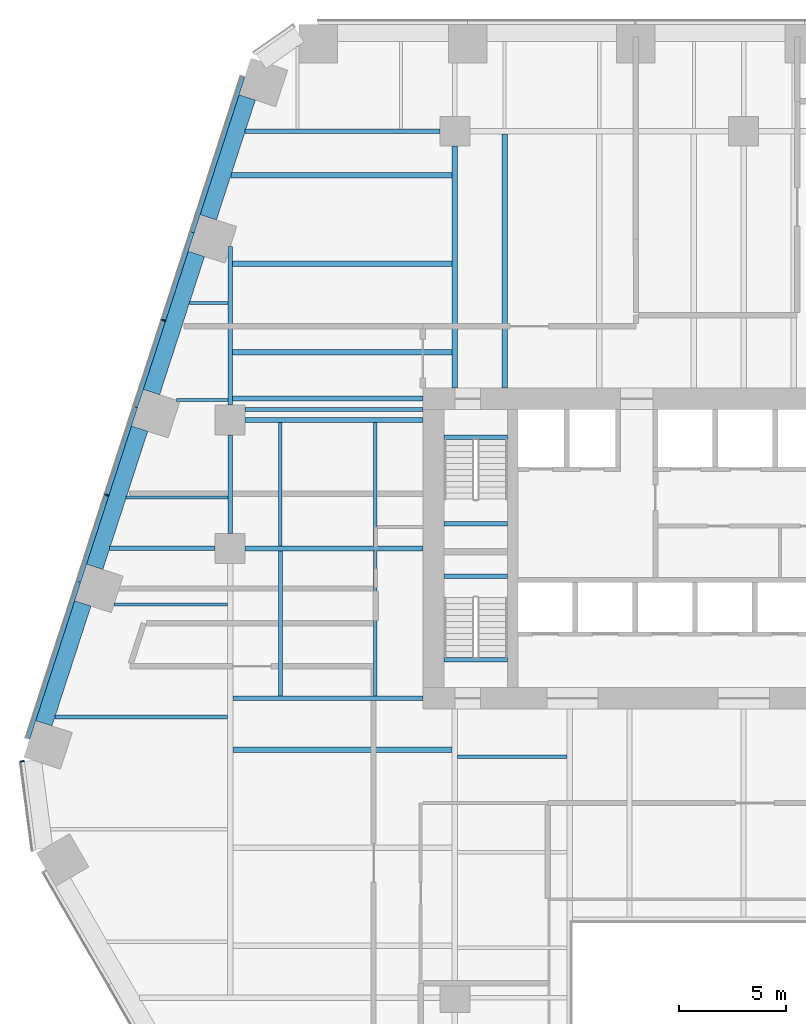
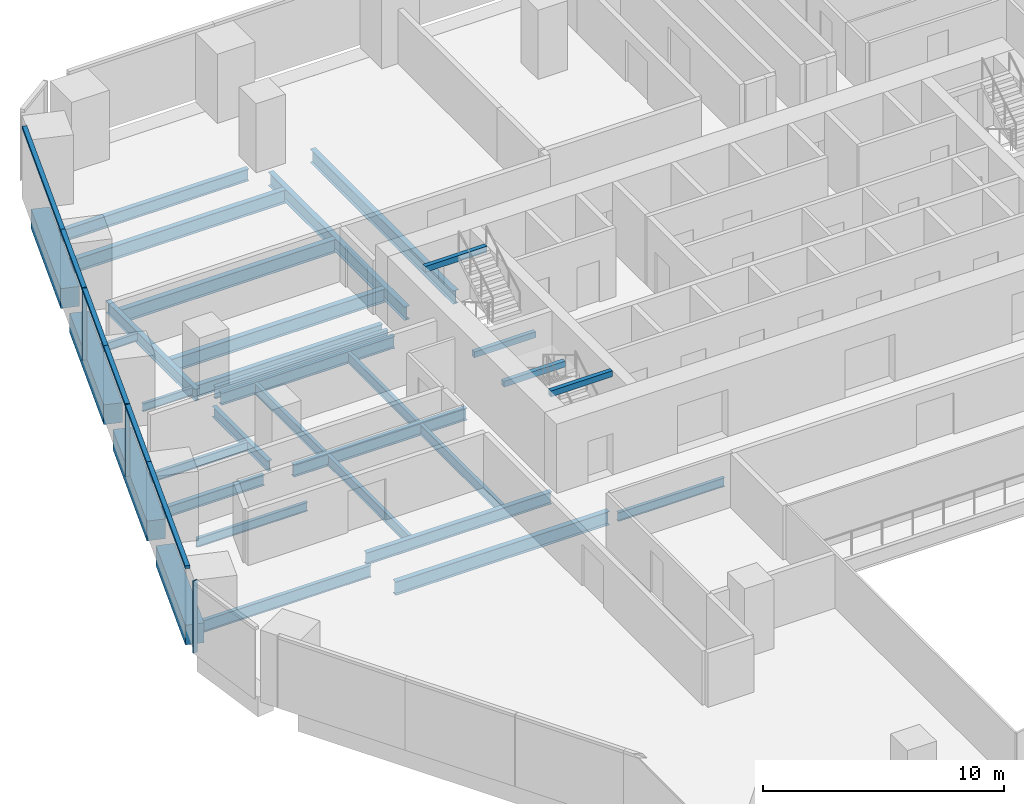
# One storey, part 8 of 21: 33 beams, 9 members, 2 elements without a shape of their own.
"""IFC4 building model written with IfcOpenShell, lengths in metres."""

from ifc_helpers import new_model, si_unit, direction, frame, origin, origin_2d, place, context, subcontext, project, spatial, rectangle, i_section, extrude, material, layer, layer_set, material_profile, profile_set, type_object, element, aggregate, save


model = new_model("IFC4")

# Units and contexts
model_context = context("Model", 3, precision=1e-05, world=origin(), true_north=direction((0.0, 1.0)))
body_context = subcontext(model_context, "Body", "Model", "MODEL_VIEW")
ifc_project = project(units=[si_unit("LENGTHUNIT", "METRE"), si_unit("AREAUNIT", "SQUARE_METRE"), si_unit("VOLUMEUNIT", "CUBIC_METRE"), si_unit("PLANEANGLEUNIT", "RADIAN"), si_unit("MASSUNIT", "GRAM", prefix="KILO")], contexts=[model_context])

# Site, building, storey
site_placement = place(None, origin())
site = spatial("IfcSite", under=ifc_project, at=site_placement, CompositionType="ELEMENT")
building_placement = place(site_placement, origin())
building = spatial("IfcBuilding", under=site, at=building_placement, Name="Isthmus Gate Tower", CompositionType="ELEMENT")
storey_placement = place(building_placement, frame((0.0, 0.0, 46.949951171875)))
storey = spatial("IfcBuildingStorey", under=building, at=storey_placement, Name="L09", CompositionType="ELEMENT", Elevation=46.949951171875)

# Curtain wall, members
ifc_material_1 = material(Name="Aluminium, pale champagne anodised", Category="aluminium")
ifc_layer = layer(ifc_material_1, 0.199951171875)
ifc_layer_set = layer_set([ifc_layer], Name="CW-1 UNITISED CURTAIN WALL 200 DEEP")
curtain_wall_type = type_object("IfcCurtainWallType", Name="CW-1 UNITISED CURTAIN WALL 200 DEEP", PredefinedType="NOTDEFINED", material=ifc_layer_set)
curtain_wall_1_placement = place(storey_placement, origin())
curtain_wall_1 = element("IfcCurtainWall", 1, at=curtain_wall_1_placement, inside=storey, type_object=curtain_wall_type, Name="CW-1 NW L09", PredefinedType="NOTDEFINED")
ifc_material_2 = material(Name="Aluminium, pale champagne anodised", Category="aluminium")
ifc_material_profile_1 = material_profile(ifc_material_2, rectangle(XDim=0.06005859375, YDim=0.199951171875, at=origin_2d()), Name="60x200")
ifc_profile_set_1 = profile_set([ifc_material_profile_1], Name="Aluminium, pale champagne anodised")
member_type_1 = type_object("IfcMemberType", Name="CW-1 MULLION 60 X 200", PredefinedType="MULLION", material=ifc_profile_set_1)
member_1_placement = place(storey_placement, frame((-27.11474609375, 18.163818359375, 0.0), z_axis=(0.0, 0.0, 1.0), x_axis=(-0.309016994375, -0.951056516295, 0.0)))
member_1 = element("IfcMember", 2, at=member_1_placement, type_object=member_type_1, Name="CW-1 mullion", PredefinedType="MULLION", context=body_context, shape_type="SweptSolid", body=[
    extrude(rectangle(XDim=0.06005859375, YDim=0.199951171875, at=origin_2d()), origin(), (0.0, 0.0, 1.0), 3.650146484375),
])
member_2_placement = place(storey_placement, frame((-29.76904296875, 9.994873046875, 0.0), z_axis=(0.0, 0.0, 1.0), x_axis=(-0.309016994375, -0.951056516295, 0.0)))
member_2 = element("IfcMember", 3, at=member_2_placement, type_object=member_type_1, Name="CW-1 mullion", PredefinedType="MULLION", context=body_context, shape_type="SweptSolid", body=[
    extrude(rectangle(XDim=0.06005859375, YDim=0.199951171875, at=origin_2d()), origin(), (0.0, 0.0, 1.0), 3.650146484375),
])

# Curtain wall, member
curtain_wall_2_placement = place(storey_placement, origin())
curtain_wall_2 = element("IfcCurtainWall", 4, at=curtain_wall_2_placement, inside=storey, type_object=curtain_wall_type, Name="CW-1 NW-SW L09", PredefinedType="NOTDEFINED")
member_3_placement = place(storey_placement, frame((-33.722900390625, -2.44482421875, 0.0), z_axis=(0.0, 0.0, 1.0), x_axis=(0.129164534, -0.991623175988, 0.0)))
member_3 = element("IfcMember", 5, at=member_3_placement, type_object=member_type_1, Name="CW-1 mullion", PredefinedType="MULLION", context=body_context, shape_type="SweptSolid", body=[
    extrude(rectangle(XDim=0.06005859375, YDim=0.199951171875, at=origin_2d()), origin(), (0.0, 0.0, 1.0), 3.650146484375),
])
aggregate(curtain_wall_2, [member_3])

# Member
ifc_material_3 = material(Name="Aluminium, pale champagne anodised", Category="aluminium")
ifc_material_profile_2 = material_profile(ifc_material_3, rectangle(XDim=0.199951171875, YDim=0.14990234375, at=origin_2d()), Name="200x150")
ifc_profile_set_2 = profile_set([ifc_material_profile_2], Name="Aluminium, pale champagne anodised")
member_type_2 = type_object("IfcMemberType", Name="CW-1 TRANSOM 200 X 150", PredefinedType="USERDEFINED", material=ifc_profile_set_2)
member_4_placement = place(storey_placement, frame((-23.4208984375, 29.532958984375, 3.574951171875), z_axis=(-0.309018780445, -0.951055935964, 0.0), x_axis=(0.951055935964, -0.309018780445, 0.0)))
member_4 = element("IfcMember", 6, at=member_4_placement, type_object=member_type_2, Name="CW-1 transom", ObjectType="TRANSOM", PredefinedType="USERDEFINED", context=body_context, shape_type="SweptSolid", body=[
    extrude(rectangle(XDim=0.199951171875, YDim=0.14990234375, at=origin_2d()), origin(), (0.0, 0.0, 1.0), 7.629638671875),
])

member_5_placement = place(storey_placement, frame((-25.778564453125, 22.27685546875, 3.574951171875), z_axis=(-0.309021801109, -0.951054954479, 0.0), x_axis=(0.951054954479, -0.309021801109, 0.0)))
member_5 = element("IfcMember", 7, at=member_5_placement, type_object=member_type_2, Name="CW-1 transom", ObjectType="TRANSOM", PredefinedType="USERDEFINED", context=body_context, shape_type="SweptSolid", body=[
    extrude(rectangle(XDim=0.199951171875, YDim=0.14990234375, at=origin_2d()), origin(), (0.0, 0.0, 1.0), 4.294677734375),
])

member_6_placement = place(storey_placement, frame((-27.1240234375, 18.13525390625, 3.574951171875), z_axis=(-0.309023496777, -0.951054403512, 0.0), x_axis=(0.951054403512, -0.309023496777, 0.0)))
member_6 = element("IfcMember", 8, at=member_6_placement, type_object=member_type_2, Name="CW-1 transom", ObjectType="TRANSOM", PredefinedType="USERDEFINED", context=body_context, shape_type="SweptSolid", body=[
    extrude(rectangle(XDim=0.199951171875, YDim=0.14990234375, at=origin_2d()), origin(), (0.0, 0.0, 1.0), 4.234619140625),
])

member_7_placement = place(storey_placement, frame((-28.4326171875, 14.10791015625, 3.574951171875), z_axis=(-0.309021801109, -0.951054954479, 0.0), x_axis=(0.951054954479, -0.309021801109, 0.0)))
member_7 = element("IfcMember", 9, at=member_7_placement, type_object=member_type_2, Name="CW-1 transom", ObjectType="TRANSOM", PredefinedType="USERDEFINED", context=body_context, shape_type="SweptSolid", body=[
    extrude(rectangle(XDim=0.199951171875, YDim=0.14990234375, at=origin_2d()), origin(), (0.0, 0.0, 1.0), 4.294677734375),
])

member_8_placement = place(storey_placement, frame((-29.7783203125, 9.96630859375, 3.574951171875), z_axis=(-0.309023496777, -0.951054403512, 0.0), x_axis=(0.951054403512, -0.309023496777, 0.0)))
member_8 = element("IfcMember", 10, at=member_8_placement, type_object=member_type_2, Name="CW-1 transom", ObjectType="TRANSOM", PredefinedType="USERDEFINED", context=body_context, shape_type="SweptSolid", body=[
    extrude(rectangle(XDim=0.199951171875, YDim=0.14990234375, at=origin_2d()), origin(), (0.0, 0.0, 1.0), 4.234619140625),
])

member_9_placement = place(storey_placement, frame((-31.0869140625, 5.93896484375, 3.574951171875), z_axis=(-0.30902720148, -0.951053199745, 0.0), x_axis=(0.951053199745, -0.30902720148, 0.0)))
member_9 = element("IfcMember", 11, at=member_9_placement, type_object=member_type_2, Name="CW-1 transom", ObjectType="TRANSOM", PredefinedType="USERDEFINED", context=body_context, shape_type="SweptSolid", body=[
    extrude(rectangle(XDim=0.199951171875, YDim=0.14990234375, at=origin_2d()), origin(), (0.0, 0.0, 1.0), 7.689453125),
])

aggregate(curtain_wall_1, [member_4, member_5, member_1, member_6, member_7, member_2, member_8, member_9])

# Beams
ifc_material_4 = material(Name="Concrete f'c 70 MPa", Category="concrete")
ifc_material_profile_3 = material_profile(ifc_material_4, rectangle(XDim=0.800048828125, YDim=1.0, at=origin_2d()), Name="RC 800X1000")
ifc_profile_set_3 = profile_set([ifc_material_profile_3], Name="Concrete f'c 70 MPa")
beam_type_1 = type_object("IfcBeamType", Name="RC SPANDREL 800 X 1000", PredefinedType="SPANDREL", material=ifc_profile_set_3)
beam_1_placement = place(storey_placement, frame((-32.70947265625, -0.672607421875, -0.5), z_axis=(0.309005457803, 0.951060264677, 0.0), x_axis=(-0.951060264677, 0.309005457803, 0.0)))
element("IfcBeam", 12, at=beam_1_placement, inside=storey, type_object=beam_type_1, Name="str-spandrel-L09-18", PredefinedType="SPANDREL", context=body_context, shape_type="SweptSolid", body=[
    extrude(rectangle(XDim=0.800048828125, YDim=1.0, at=origin_2d()), origin(), (0.0, 0.0, 1.0), 5.889404296875),
])
for number, where, z_axis, x_axis, name in (
    (13, (-30.333251953125, 6.640380859375, -0.5), (0.30900150794, 0.951061548004, 0.0), (-0.951061548004, 0.30900150794, 0.0), "str-spandrel-L09-19"),
    (14, (-27.67919921875, 14.809326171875, -0.5), (0.309034033576, 0.951050979754, 0.0), (-0.951050979754, 0.309034033576, 0.0), "str-spandrel-L09-20"),
):
    element("IfcBeam", number, at=place(storey_placement, frame(where, z_axis=z_axis, x_axis=x_axis)), inside=storey, type_object=beam_type_1, Name=name, PredefinedType="SPANDREL", context=body_context, shape_type="SweptSolid", body=[
        extrude(rectangle(XDim=0.800048828125, YDim=1.0, at=origin_2d()), origin(), (0.0, 0.0, 1.0), 6.789306640625),
    ])
beam_2_placement = place(storey_placement, frame((-25.02490234375, 22.978271484375, -0.5), z_axis=(0.309042953764, 0.951048081187, 0.0), x_axis=(-0.951048081187, 0.309042953764, 0.0)))
element("IfcBeam", 15, at=beam_2_placement, inside=storey, type_object=beam_type_1, Name="str-spandrel-L09-21", PredefinedType="SPANDREL", context=body_context, shape_type="SweptSolid", body=[
    extrude(rectangle(XDim=0.800048828125, YDim=1.0, at=origin_2d()), origin(), (0.0, 0.0, 1.0), 5.889404296875),
])
ifc_material_5 = material(Name="Concrete f'c 40 MPa", Category="concrete")
ifc_material_profile_4 = material_profile(ifc_material_5, rectangle(XDim=0.199951171875, YDim=0.300048828125, at=origin_2d()), Name="STAIR LANDING BEAM RC 200 X 300")
ifc_profile_set_4 = profile_set([ifc_material_profile_4], Name="Concrete f'c 40 MPa")
beam_type_2 = type_object("IfcBeamType", Name="STAIR LANDING BEAM RC 200 X 300", PredefinedType="BEAM", material=ifc_profile_set_4)
for number, where, z_axis, x_axis, name in (
    (16, (-14.0, 8.64990234375, 1.47509765625), (1.0, 0.0, 0.0), (0.0, 1.0, 0.0), "L09 ST1 landing beam 1"),
    (17, (-14.0, 12.7001953125, 3.35009765625), (1.0, 0.0, 0.0), (0.0, 1.0, 0.0), "L09 ST1 floor-edge seat beam"),
    (18, (-14.0, 6.199951171875, 1.47509765625), (1.0, 0.0, 0.0), (0.0, 1.0, 0.0), "L09 ST7 landing beam 1"),
    (19, (-14.0, 2.2998046875, 3.35009765625), (1.0, 0.0, 0.0), (0.0, 1.0, 0.0), "L09 ST7 floor-edge seat beam"),
):
    element("IfcBeam", number, at=place(storey_placement, frame(where, z_axis=z_axis, x_axis=x_axis)), inside=storey, type_object=beam_type_2, Name=name, PredefinedType="BEAM", context=body_context, shape_type="SweptSolid", body=[
        extrude(rectangle(XDim=0.199951171875, YDim=0.300048828125, at=origin_2d()), origin(), (0.0, 0.0, 1.0), 2.949951171875),
    ])
ifc_material_6 = material(Name="Structural steel ASTM A992 Gr 50", Category="steel")
ifc_material_profile_5 = material_profile(ifc_material_6, i_section(OverallWidth=0.1396484375, OverallDepth=0.4033203125, WebThickness=0.00634765625, FlangeThickness=0.010986328125, at=origin_2d()), Name="W16X31")
ifc_profile_set_5 = profile_set([ifc_material_profile_5], Name="Structural steel ASTM A992 Gr 50")
beam_type_3 = type_object("IfcBeamType", Name="STEEL FLOOR BEAM W16X31", PredefinedType="JOIST", material=ifc_profile_set_5)
beam_3_placement = place(storey_placement, frame((-26.503662109375, 14.427490234375, -0.3515625), z_axis=(1.0, 0.0, 0.0), x_axis=(0.0, 1.0, 0.0)))
element("IfcBeam", 20, at=beam_3_placement, inside=storey, type_object=beam_type_3, Name="str-beam-L09-01-01", PredefinedType="JOIST", context=body_context, shape_type="SweptSolid", body=[
    extrude(i_section(OverallWidth=0.1396484375, OverallDepth=0.4033203125, WebThickness=0.00634765625, FlangeThickness=0.010986328125, at=origin_2d()), origin(), (0.0, 0.0, 1.0), 2.389404296875),
])
beam_4_placement = place(storey_placement, frame((-25.90478515625, 18.975830078125, -0.3515625), z_axis=(1.0, 0.0, 0.0), x_axis=(0.0, 1.0, 0.0)))
element("IfcBeam", 21, at=beam_4_placement, inside=storey, type_object=beam_type_3, Name="str-beam-L09-01-02", PredefinedType="JOIST", context=body_context, shape_type="SweptSolid", body=[
    extrude(i_section(OverallWidth=0.1396484375, OverallDepth=0.4033203125, WebThickness=0.00634765625, FlangeThickness=0.010986328125, at=origin_2d()), origin(), (0.0, 0.0, 1.0), 1.79052734375),
])
ifc_material_7 = material(Name="Structural steel ASTM A992 Gr 50", Category="steel")
ifc_material_profile_6 = material_profile(ifc_material_7, i_section(OverallWidth=0.15234375, OverallDepth=0.45068359375, WebThickness=0.0078125, FlangeThickness=0.010986328125, at=origin_2d()), Name="W18X35")
ifc_profile_set_6 = profile_set([ifc_material_profile_6], Name="Structural steel ASTM A992 Gr 50")
beam_type_4 = type_object("IfcBeamType", Name="STEEL FLOOR BEAM W18X35", PredefinedType="JOIST", material=ifc_profile_set_6)
beam_5_placement = place(storey_placement, frame((-29.434814453125, 4.875, -0.375244140625), z_axis=(1.0, 0.0, 0.0), x_axis=(0.0, 1.0, 0.0)))
element("IfcBeam", 22, at=beam_5_placement, inside=storey, type_object=beam_type_4, Name="str-beam-L09-00-03", PredefinedType="JOIST", context=body_context, shape_type="SweptSolid", body=[
    extrude(i_section(OverallWidth=0.15234375, OverallDepth=0.45068359375, WebThickness=0.0078125, FlangeThickness=0.010986328125, at=origin_2d()), origin(), (0.0, 0.0, 1.0), 5.301513671875),
])
beam_6_placement = place(storey_placement, frame((-28.860595703125, 9.87890625, -0.375244140625), z_axis=(1.0, 0.0, 0.0), x_axis=(0.0, 1.0, 0.0)))
element("IfcBeam", 23, at=beam_6_placement, inside=storey, type_object=beam_type_4, Name="str-beam-L09-01-00", PredefinedType="JOIST", context=body_context, shape_type="SweptSolid", body=[
    extrude(i_section(OverallWidth=0.15234375, OverallDepth=0.45068359375, WebThickness=0.0078125, FlangeThickness=0.010986328125, at=origin_2d()), origin(), (0.0, 0.0, 1.0), 4.755859375),
])
beam_7_placement = place(storey_placement, frame((-13.3681640625, -2.232421875, -0.375244140625), z_axis=(1.0, 0.0, 0.0), x_axis=(0.0, 1.0, 0.0)))
element("IfcBeam", 24, at=beam_7_placement, inside=storey, type_object=beam_type_4, Name="str-beam-L09-11-02", PredefinedType="JOIST", context=body_context, shape_type="SweptSolid", body=[
    extrude(i_section(OverallWidth=0.15234375, OverallDepth=0.45068359375, WebThickness=0.0078125, FlangeThickness=0.010986328125, at=origin_2d()), origin(), (0.0, 0.0, 1.0), 5.1015625),
])
ifc_material_8 = material(Name="Structural steel ASTM A992 Gr 50", Category="steel")
ifc_material_profile_7 = material_profile(ifc_material_8, i_section(OverallWidth=0.1650390625, OverallDepth=0.52392578125, WebThickness=0.009521484375, FlangeThickness=0.010986328125, at=origin_2d()), Name="W21X44")
ifc_profile_set_7 = profile_set([ifc_material_profile_7], Name="Structural steel ASTM A992 Gr 50")
beam_type_5 = type_object("IfcBeamType", Name="STEEL FLOOR BEAM W21X44", PredefinedType="JOIST", material=ifc_profile_set_7)
for number, where, z_axis, x_axis, name in (
    (25, (-21.64990234375, 0.6142578125, -0.411865234375), (0.0, 1.0, 0.0), (-1.0, 0.0, 0.0), "str-beam-L09-02-00"),
    (26, (-17.216552734375, 0.6142578125, -0.411865234375), (0.0, 1.0, 0.0), (-1.0, 0.0, 0.0), "str-beam-L09-02-01"),
):
    element("IfcBeam", number, at=place(storey_placement, frame(where, z_axis=z_axis, x_axis=x_axis)), inside=storey, type_object=beam_type_5, Name=name, PredefinedType="JOIST", context=body_context, shape_type="SweptSolid", body=[
        extrude(i_section(OverallWidth=0.1650390625, OverallDepth=0.52392578125, WebThickness=0.009521484375, FlangeThickness=0.010986328125, at=origin_2d()), origin(), (0.0, 0.0, 1.0), 6.771484375),
    ])
for number, where, z_axis, x_axis, name in (
    (27, (-21.67138671875, 7.6142578125, -0.411865234375), (0.0, 1.0, 0.0), (-1.0, 0.0, 0.0), "str-beam-L09-03-00"),
    (28, (-17.223876953125, 7.6142578125, -0.411865234375), (0.0, 1.0, 0.0), (-1.0, 0.0, 0.0), "str-beam-L09-03-01"),
):
    element("IfcBeam", number, at=place(storey_placement, frame(where, z_axis=z_axis, x_axis=x_axis)), inside=storey, type_object=beam_type_5, Name=name, PredefinedType="JOIST", context=body_context, shape_type="SweptSolid", body=[
        extrude(i_section(OverallWidth=0.1650390625, OverallDepth=0.52392578125, WebThickness=0.009521484375, FlangeThickness=0.010986328125, at=origin_2d()), origin(), (0.0, 0.0, 1.0), 5.771484375),
    ])
ifc_material_9 = material(Name="Structural steel ASTM A992 Gr 50", Category="steel")
ifc_material_profile_8 = material_profile(ifc_material_9, i_section(OverallWidth=0.177734375, OverallDepth=0.60009765625, WebThickness=0.009521484375, FlangeThickness=0.0126953125, at=origin_2d()), Name="W24X55")
ifc_profile_set_8 = profile_set([ifc_material_profile_8], Name="Structural steel ASTM A992 Gr 50")
beam_type_6 = type_object("IfcBeamType", Name="STEEL FLOOR BEAM W24X55", PredefinedType="JOIST", material=ifc_profile_set_8)
beam_8_placement = place(storey_placement, frame((-32.192138671875, -0.375, -0.449951171875), z_axis=(1.0, 0.0, 0.0), x_axis=(0.0, 1.0, 0.0)))
element("IfcBeam", 29, at=beam_8_placement, inside=storey, type_object=beam_type_6, Name="str-beam-L09-00-02", PredefinedType="JOIST", context=body_context, shape_type="SweptSolid", body=[
    extrude(i_section(OverallWidth=0.177734375, OverallDepth=0.60009765625, WebThickness=0.009521484375, FlangeThickness=0.0126953125, at=origin_2d()), origin(), (0.0, 0.0, 1.0), 8.058837890625),
])
beam_9_placement = place(storey_placement, frame((-23.300048828125, 14.0, -0.449951171875), z_axis=(1.0, 0.0, 0.0), x_axis=(0.0, 1.0, 0.0)))
element("IfcBeam", 30, at=beam_9_placement, inside=storey, type_object=beam_type_6, Name="str-beam-L09-04-00", PredefinedType="JOIST", context=body_context, shape_type="SweptSolid", body=[
    extrude(i_section(OverallWidth=0.177734375, OverallDepth=0.60009765625, WebThickness=0.009521484375, FlangeThickness=0.0126953125, at=origin_2d()), origin(), (0.0, 0.0, 1.0), 8.300048828125),
])
ifc_material_10 = material(Name="Structural steel ASTM A992 Gr 50", Category="steel")
ifc_material_profile_9 = material_profile(ifc_material_10, i_section(OverallWidth=0.25390625, OverallDepth=0.679443359375, WebThickness=0.010986328125, FlangeThickness=0.015869140625, at=origin_2d()), Name="W27X84")
ifc_profile_set_9 = profile_set([ifc_material_profile_9], Name="Structural steel ASTM A992 Gr 50")
beam_type_7 = type_object("IfcBeamType", Name="STEEL FLOOR BEAM W27X84", PredefinedType="JOIST", material=ifc_profile_set_9)
for number, where, z_axis, x_axis, name in (
    (31, (-23.8857421875, 16.678466796875, -0.48974609375), (1.0, 0.0, 0.0), (0.0, 1.0, 0.0), "str-beam-L09-06-00"),
    (32, (-23.8857421875, 20.80712890625, -0.48974609375), (1.0, 0.0, 0.0), (0.0, 1.0, 0.0), "str-beam-L09-06-01"),
):
    element("IfcBeam", number, at=place(storey_placement, frame(where, z_axis=z_axis, x_axis=x_axis)), inside=storey, type_object=beam_type_7, Name=name, PredefinedType="JOIST", context=body_context, shape_type="SweptSolid", body=[
        extrude(i_section(OverallWidth=0.25390625, OverallDepth=0.679443359375, WebThickness=0.010986328125, FlangeThickness=0.015869140625, at=origin_2d()), origin(), (0.0, 0.0, 1.0), 10.2587890625),
    ])
beam_10_placement = place(storey_placement, frame((-23.96826171875, 24.935791015625, -0.48974609375), z_axis=(1.0, 0.0, 0.0), x_axis=(0.0, 1.0, 0.0)))
element("IfcBeam", 33, at=beam_10_placement, inside=storey, type_object=beam_type_7, Name="str-beam-L09-06-02", PredefinedType="JOIST", context=body_context, shape_type="SweptSolid", body=[
    extrude(i_section(OverallWidth=0.25390625, OverallDepth=0.679443359375, WebThickness=0.010986328125, FlangeThickness=0.015869140625, at=origin_2d()), origin(), (0.0, 0.0, 1.0), 10.34130859375),
])
beam_11_placement = place(storey_placement, frame((-23.86669921875, -1.90625, -0.48974609375), z_axis=(1.0, 0.0, 0.0), x_axis=(0.0, 1.0, 0.0)))
element("IfcBeam", 34, at=beam_11_placement, inside=storey, type_object=beam_type_7, Name="str-beam-L09-07-02", PredefinedType="JOIST", context=body_context, shape_type="SweptSolid", body=[
    extrude(i_section(OverallWidth=0.25390625, OverallDepth=0.679443359375, WebThickness=0.010986328125, FlangeThickness=0.015869140625, at=origin_2d()), origin(), (0.0, 0.0, 1.0), 10.23486328125),
])
beam_12_placement = place(storey_placement, frame((-11.165283203125, 15.0, -0.48974609375), z_axis=(0.0, 1.0, 0.0), x_axis=(-1.0, 0.0, 0.0)))
element("IfcBeam", 35, at=beam_12_placement, inside=storey, type_object=beam_type_7, Name="str-beam-L09-13-00", PredefinedType="JOIST", context=body_context, shape_type="SweptSolid", body=[
    extrude(i_section(OverallWidth=0.25390625, OverallDepth=0.679443359375, WebThickness=0.010986328125, FlangeThickness=0.015869140625, at=origin_2d()), origin(), (0.0, 0.0, 1.0), 11.8681640625),
])
ifc_material_11 = material(Name="Structural steel ASTM A992 Gr 50", Category="steel")
ifc_material_profile_10 = material_profile(ifc_material_11, i_section(OverallWidth=0.20947265625, OverallDepth=0.533447265625, WebThickness=0.009521484375, FlangeThickness=0.015869140625, at=origin_2d()), Name="W21X62")
ifc_profile_set_10 = profile_set([ifc_material_profile_10], Name="Structural steel ASTM A992 Gr 50")
beam_type_8 = type_object("IfcBeamType", Name="STEEL GIRDER W21X62", PredefinedType="BEAM", material=ifc_profile_set_10)
beam_13_placement = place(storey_placement, frame((-29.633544921875, 7.5, -0.416748046875), z_axis=(1.0, 0.0, 0.0), x_axis=(0.0, 1.0, 0.0)))
element("IfcBeam", 36, at=beam_13_placement, inside=storey, type_object=beam_type_8, Name="str-girder-L09-09", PredefinedType="BEAM", context=body_context, shape_type="SweptSolid", body=[
    extrude(i_section(OverallWidth=0.20947265625, OverallDepth=0.533447265625, WebThickness=0.009521484375, FlangeThickness=0.015869140625, at=origin_2d()), origin(), (0.0, 0.0, 1.0), 4.93359375),
])
beam_14_placement = place(storey_placement, frame((-24.0, 8.199951171875, -0.416748046875), z_axis=(0.0, 1.0, 0.0), x_axis=(-1.0, 0.0, 0.0)))
element("IfcBeam", 37, at=beam_14_placement, inside=storey, type_object=beam_type_8, Name="str-girder-L09-21", PredefinedType="BEAM", context=body_context, shape_type="SweptSolid", body=[
    extrude(i_section(OverallWidth=0.20947265625, OverallDepth=0.533447265625, WebThickness=0.009521484375, FlangeThickness=0.015869140625, at=origin_2d()), origin(), (0.0, 0.0, 1.0), 4.60009765625),
])
ifc_material_12 = material(Name="Structural steel ASTM A992 Gr 50", Category="steel")
ifc_material_profile_11 = material_profile(ifc_material_12, i_section(OverallWidth=0.228515625, OverallDepth=0.603271484375, WebThickness=0.010986328125, FlangeThickness=0.014404296875, at=origin_2d()), Name="W24X68")
ifc_profile_set_11 = profile_set([ifc_material_profile_11], Name="Structural steel ASTM A992 Gr 50")
beam_type_9 = type_object("IfcBeamType", Name="STEEL GIRDER W24X68", PredefinedType="BEAM", material=ifc_profile_set_11)
beam_15_placement = place(storey_placement, frame((-24.0, 14.199951171875, -0.45166015625), z_axis=(0.0, 1.0, 0.0), x_axis=(-1.0, 0.0, 0.0)))
element("IfcBeam", 38, at=beam_15_placement, inside=storey, type_object=beam_type_9, Name="str-girder-L09-22", PredefinedType="BEAM", context=body_context, shape_type="SweptSolid", body=[
    extrude(i_section(OverallWidth=0.228515625, OverallDepth=0.603271484375, WebThickness=0.010986328125, FlangeThickness=0.014404296875, at=origin_2d()), origin(), (0.0, 0.0, 1.0), 7.402099609375),
])
ifc_material_13 = material(Name="Structural steel ASTM A992 Gr 50", Category="steel")
ifc_material_profile_12 = material_profile(ifc_material_13, i_section(OverallWidth=0.228515625, OverallDepth=0.6064453125, WebThickness=0.010986328125, FlangeThickness=0.017578125, at=origin_2d()), Name="W24X76")
ifc_profile_set_12 = profile_set([ifc_material_profile_12], Name="Structural steel ASTM A992 Gr 50")
beam_type_10 = type_object("IfcBeamType", Name="STEEL GIRDER W24X76", PredefinedType="BEAM", material=ifc_profile_set_12)
for number, where, z_axis, x_axis, name in (
    (39, (-23.300048828125, 7.5, -0.453125), (1.0, 0.0, 0.0), (0.0, 1.0, 0.0), "str-girder-L09-10"),
    (40, (-23.300048828125, 13.5, -0.453125), (1.0, 0.0, 0.0), (0.0, 1.0, 0.0), "str-girder-L09-13"),
):
    element("IfcBeam", number, at=place(storey_placement, frame(where, z_axis=z_axis, x_axis=x_axis)), inside=storey, type_object=beam_type_10, Name=name, PredefinedType="BEAM", context=body_context, shape_type="SweptSolid", body=[
        extrude(i_section(OverallWidth=0.228515625, OverallDepth=0.6064453125, WebThickness=0.010986328125, FlangeThickness=0.017578125, at=origin_2d()), origin(), (0.0, 0.0, 1.0), 8.300048828125),
    ])
beam_16_placement = place(storey_placement, frame((-23.297607421875, 27.0, -0.453125), z_axis=(1.0, 0.0, 0.0), x_axis=(0.0, 1.0, 0.0)))
element("IfcBeam", 41, at=beam_16_placement, inside=storey, type_object=beam_type_10, Name="str-girder-L09-16", PredefinedType="BEAM", context=body_context, shape_type="SweptSolid", body=[
    extrude(i_section(OverallWidth=0.228515625, OverallDepth=0.6064453125, WebThickness=0.010986328125, FlangeThickness=0.017578125, at=origin_2d()), origin(), (0.0, 0.0, 1.0), 9.09765625),
])
beam_17_placement = place(storey_placement, frame((-15.0, 0.5, -0.453125), z_axis=(-1.0, 0.0, 0.0), x_axis=(0.0, -1.0, 0.0)))
element("IfcBeam", 42, at=beam_17_placement, inside=storey, type_object=beam_type_10, Name="str-girder-L09-38", PredefinedType="BEAM", context=body_context, shape_type="SweptSolid", body=[
    extrude(i_section(OverallWidth=0.228515625, OverallDepth=0.6064453125, WebThickness=0.010986328125, FlangeThickness=0.017578125, at=origin_2d()), origin(), (0.0, 0.0, 1.0), 8.86669921875),
])
beam_18_placement = place(storey_placement, frame((-15.0, 14.5, -0.453125), z_axis=(-1.0, 0.0, 0.0), x_axis=(0.0, -1.0, 0.0)))
element("IfcBeam", 43, at=beam_18_placement, inside=storey, type_object=beam_type_10, Name="str-girder-L09-40", PredefinedType="BEAM", context=body_context, shape_type="SweptSolid", body=[
    extrude(i_section(OverallWidth=0.228515625, OverallDepth=0.6064453125, WebThickness=0.010986328125, FlangeThickness=0.017578125, at=origin_2d()), origin(), (0.0, 0.0, 1.0), 8.8857421875),
])
ifc_material_14 = material(Name="Structural steel ASTM A992 Gr 50", Category="steel")
ifc_material_profile_13 = material_profile(ifc_material_14, i_section(OverallWidth=0.25390625, OverallDepth=0.679443359375, WebThickness=0.010986328125, FlangeThickness=0.015869140625, at=origin_2d()), Name="W27X84")
ifc_profile_set_13 = profile_set([ifc_material_profile_13], Name="Structural steel ASTM A992 Gr 50")
beam_type_11 = type_object("IfcBeamType", Name="STEEL GIRDER W27X84", PredefinedType="BEAM", material=ifc_profile_set_13)
beam_19_placement = place(storey_placement, frame((-13.5, 15.0, -0.48974609375), z_axis=(0.0, 1.0, 0.0), x_axis=(-1.0, 0.0, 0.0)))
element("IfcBeam", 44, at=beam_19_placement, inside=storey, type_object=beam_type_11, Name="str-girder-L09-26", PredefinedType="BEAM", context=body_context, shape_type="SweptSolid", body=[
    extrude(i_section(OverallWidth=0.25390625, OverallDepth=0.679443359375, WebThickness=0.010986328125, FlangeThickness=0.015869140625, at=origin_2d()), origin(), (0.0, 0.0, 1.0), 11.300048828125),
])

save(model, "model.ifc")
